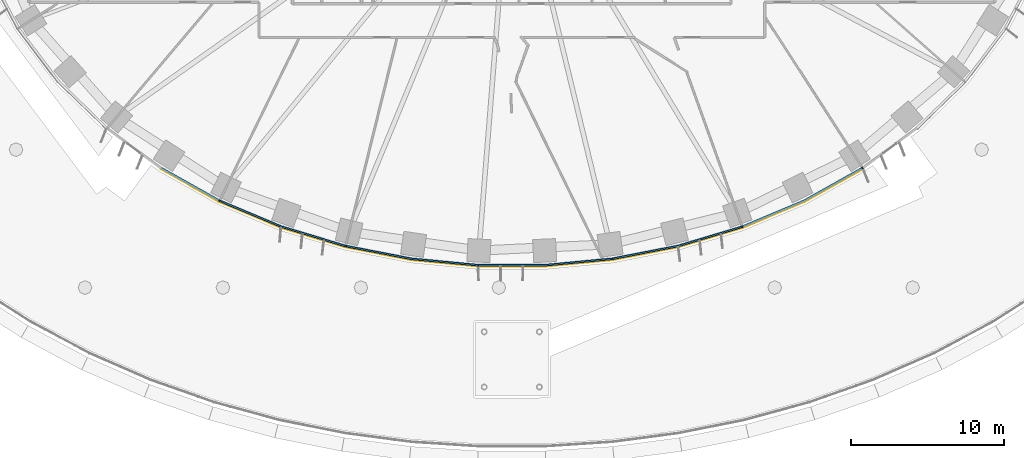
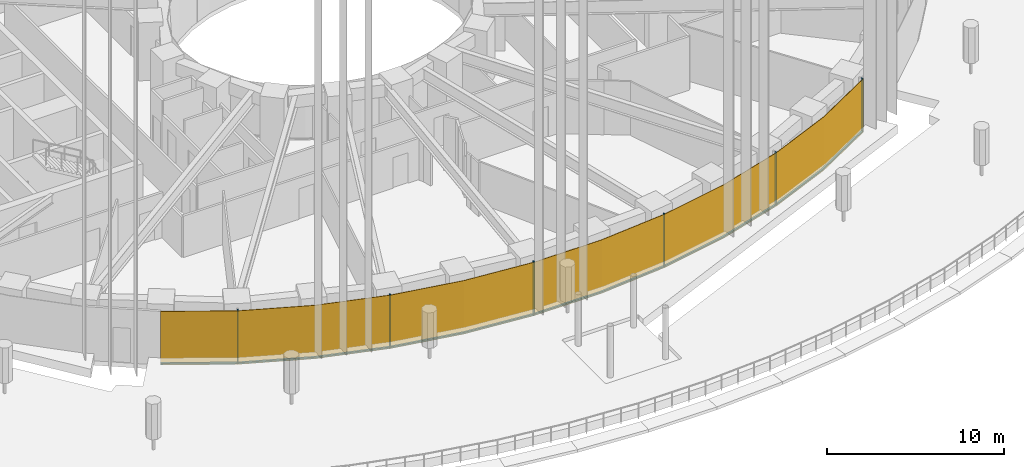
# One storey, part 17 of 30: 12 members, 1 curtain wall.
"""IFC4 building model written with IfcOpenShell, lengths in metres."""

from ifc_helpers import new_model, si_unit, direction, frame, origin, origin_2d, place, context, subcontext, project, spatial, polyline, rectangle, outline, extrude, material, layer, layer_set, material_profile, profile_set, type_object, element, aggregate, save


model = new_model("IFC4")

# Units and contexts
model_context = context("Model", 3, precision=1e-05, world=origin(), true_north=direction((0.0, 1.0)))
body_context = subcontext(model_context, "Body", "Model", "MODEL_VIEW")
ifc_project = project(units=[si_unit("LENGTHUNIT", "METRE"), si_unit("AREAUNIT", "SQUARE_METRE"), si_unit("VOLUMEUNIT", "CUBIC_METRE"), si_unit("PLANEANGLEUNIT", "RADIAN"), si_unit("MASSUNIT", "GRAM", prefix="KILO")], contexts=[model_context])

# Member
ifc_material_1 = material(Name="Aluminium 6063-T6 black anodised", Category="aluminium")
ifc_material_profile = material_profile(ifc_material_1, rectangle(XDim=0.1201171875, YDim=0.06005859375, at=origin_2d()), Name="120x60")
ifc_profile_set = profile_set([ifc_material_profile], Name="Aluminium 6063-T6 black anodised")
member_type_1 = type_object("IfcMemberType", Name="ENV-MULLION-A-120", PredefinedType="MULLION", material=ifc_profile_set)
site_placement = place(None, origin())
building_placement = place(site_placement, origin())
storey_placement = place(building_placement, frame((0.0, 0.0, 30.5)))
member_1_placement = place(storey_placement, frame((-19.06787109375, -23.6474609375, 0.0), z_axis=(0.0, 0.0, 1.0), x_axis=(0.439237769837, 0.898370848563, 0.0)))
member_1 = element("IfcMember", 1, at=member_1_placement, type_object=member_type_1, Name="Mullion A radial 31", PredefinedType="MULLION", context=body_context, shape_type="SweptSolid", body=[
    extrude(rectangle(XDim=0.1201171875, YDim=0.06005859375, at=origin_2d()), origin(), (0.0, 0.0, 1.0), 3.699951171875),
])

member_2_placement = place(storey_placement, frame((-10.84326171875, -26.60498046875, 0.0), z_axis=(0.0, 0.0, 1.0), x_axis=(0.239799081534, 0.970822538106, 0.0)))
member_2 = element("IfcMember", 2, at=member_2_placement, type_object=member_type_1, Name="Mullion A radial 33", PredefinedType="MULLION", context=body_context, shape_type="SweptSolid", body=[
    extrude(rectangle(XDim=0.1201171875, YDim=0.06005859375, at=origin_2d()), origin(), (0.0, 0.0, 1.0), 3.699951171875),
])

member_3_placement = place(storey_placement, frame((-2.188720703125, -27.856201171875, 0.0), z_axis=(0.0, 0.0, 1.0), x_axis=(0.047557873581, 0.998868484166, 0.0)))
member_3 = element("IfcMember", 3, at=member_3_placement, type_object=member_type_1, Name="Mullion A radial 35", PredefinedType="MULLION", context=body_context, shape_type="SweptSolid", body=[
    extrude(rectangle(XDim=0.1201171875, YDim=0.06005859375, at=origin_2d()), origin(), (0.0, 0.0, 1.0), 3.699951171875),
])

member_4_placement = place(storey_placement, frame((6.54638671875, -27.440185546875, 0.0), z_axis=(0.0, 0.0, 1.0), x_axis=(-0.143082012705, 0.989710835366, 0.0)))
member_4 = element("IfcMember", 4, at=member_4_placement, type_object=member_type_1, Name="Mullion A radial 37", PredefinedType="MULLION", context=body_context, shape_type="SweptSolid", body=[
    extrude(rectangle(XDim=0.1201171875, YDim=0.06005859375, at=origin_2d()), origin(), (0.0, 0.0, 1.0), 3.699951171875),
])

member_5_placement = place(storey_placement, frame((15.0341796875, -25.34375, 0.0), z_axis=(0.0, 0.0, 1.0), x_axis=(-0.338379256581, 0.941009818608, 0.0)))
member_5 = element("IfcMember", 5, at=member_5_placement, type_object=member_type_1, Name="Mullion A radial 39", PredefinedType="MULLION", context=body_context, shape_type="SweptSolid", body=[
    extrude(rectangle(XDim=0.1201171875, YDim=0.06005859375, at=origin_2d()), origin(), (0.0, 0.0, 1.0), 3.699951171875),
])

member_6_placement = place(storey_placement, frame((22.882568359375, -21.506591796875, 0.0), z_axis=(0.0, 0.0, 1.0), x_axis=(-0.542279153225, 0.840198381323, 0.0)))
member_6 = element("IfcMember", 6, at=member_6_placement, type_object=member_type_1, Name="Mullion A radial 41", PredefinedType="MULLION", context=body_context, shape_type="SweptSolid", body=[
    extrude(rectangle(XDim=0.1201171875, YDim=0.06005859375, at=origin_2d()), origin(), (0.0, 0.0, 1.0), 3.699951171875),
])

ifc_material_2 = material(Name="Aluminium 6063-T6 black anodised", Category="aluminium")
member_type_2 = type_object("IfcMemberType", Name="ENV-TRANSOM-A", PredefinedType="USERDEFINED", material=ifc_material_2)
member_7_placement = place(storey_placement, origin())
member_7 = element("IfcMember", 7, at=member_7_placement, type_object=member_type_2, Name="Transom A radial 30-31", ObjectType="TRANSOM", PredefinedType="USERDEFINED", context=body_context, shape_type="SweptSolid", body=[
    extrude(outline(polyline([(-22.897705078125, -21.566650390625), (-19.11865234375, -23.687744140625), (-19.06591796875, -23.57958984375), (-22.83251953125, -21.4658203125), (-22.897705078125, -21.566650390625)])), origin(), (0.0, 0.0, 1.0), 0.10009765625),
])

member_8_placement = place(storey_placement, origin())
member_8 = element("IfcMember", 8, at=member_8_placement, type_object=member_type_2, Name="Transom A radial 31-33", ObjectType="TRANSOM", PredefinedType="USERDEFINED", context=body_context, shape_type="SweptSolid", body=[
    extrude(outline(polyline([(-19.068359375, -23.71240234375), (-15.054443359375, -25.400146484375), (-10.884521484375, -26.655029296875), (-10.855712890625, -26.53857421875), (-15.013916015625, -25.287109375), (-19.015380859375, -23.604248046875), (-19.068359375, -23.71240234375)])), origin(), (0.0, 0.0, 1.0), 0.10009765625),
])

member_9_placement = place(storey_placement, origin())
member_9 = element("IfcMember", 9, at=member_9_placement, type_object=member_type_2, Name="Transom A radial 33-35", ObjectType="TRANSOM", PredefinedType="USERDEFINED", context=body_context, shape_type="SweptSolid", body=[
    extrude(outline(polyline([(-10.830078125, -26.66845703125), (-6.55517578125, -27.49951171875), (-2.219482421875, -27.913330078125), (-2.2138671875, -27.793212890625), (-6.537841796875, -27.380615234375), (-10.80126953125, -26.552001953125), (-10.830078125, -26.66845703125)])), origin(), (0.0, 0.0, 1.0), 0.10009765625),
])

member_10_placement = place(storey_placement, origin())
member_10 = element("IfcMember", 10, at=member_10_placement, type_object=member_type_2, Name="Transom A radial 35-37", ObjectType="TRANSOM", PredefinedType="USERDEFINED", context=body_context, shape_type="SweptSolid", body=[
    extrude(outline(polyline([(-2.163818359375, -27.916015625), (2.191650390625, -27.916015625), (6.527099609375, -27.502197265625), (6.510009765625, -27.38330078125), (2.185791015625, -27.7958984375), (-2.157958984375, -27.7958984375), (-2.163818359375, -27.916015625)])), origin(), (0.0, 0.0, 1.0), 0.10009765625),
])

member_11_placement = place(storey_placement, origin())
member_11 = element("IfcMember", 11, at=member_11_placement, type_object=member_type_2, Name="Transom A radial 37-39", ObjectType="TRANSOM", PredefinedType="USERDEFINED", context=body_context, shape_type="SweptSolid", body=[
    extrude(outline(polyline([(6.58251953125, -27.494140625), (10.857666015625, -26.6630859375), (15.027587890625, -25.408203125), (14.987060546875, -25.295166015625), (10.828857421875, -26.54638671875), (6.5654296875, -27.375244140625), (6.58251953125, -27.494140625)])), origin(), (0.0, 0.0, 1.0), 0.10009765625),
])

member_12_placement = place(storey_placement, origin())
member_12 = element("IfcMember", 12, at=member_12_placement, type_object=member_type_2, Name="Transom A radial 39-41", ObjectType="TRANSOM", PredefinedType="USERDEFINED", context=body_context, shape_type="SweptSolid", body=[
    extrude(outline(polyline([(15.080322265625, -25.389404296875), (19.093994140625, -23.701416015625), (22.890625, -21.570556640625), (22.825439453125, -21.469482421875), (19.041259765625, -23.593505859375), (15.03955078125, -25.276123046875), (15.080322265625, -25.389404296875)])), origin(), (0.0, 0.0, 1.0), 0.10009765625),
])

# Site, building, storey
site = spatial("IfcSite", under=ifc_project, at=site_placement, CompositionType="ELEMENT")
building = spatial("IfcBuilding", under=site, at=building_placement, Name="Noorbagh Ring Tower", CompositionType="ELEMENT")
storey = spatial("IfcBuildingStorey", under=building, at=storey_placement, Name="L05", CompositionType="ELEMENT", Elevation=30.5)

# Curtain wall
ifc_material_3 = material(Name="Glass dark tinted laminated", Category="glass")
ifc_layer = layer(ifc_material_3, 0.031982421875)
ifc_layer_set = layer_set([ifc_layer], Name="Glass dark tinted laminated")
curtain_wall_type = type_object("IfcCurtainWallType", Name="ENV-CW-A", PredefinedType="NOTDEFINED", material=ifc_layer_set)
curtain_wall_placement = place(storey_placement, origin())
curtain_wall = element("IfcCurtainWall", 13, at=curtain_wall_placement, inside=storey, type_object=curtain_wall_type, Name="Curtain wall A R30", PredefinedType="NOTDEFINED", context=body_context, shape_type="SweptSolid", body=[
    extrude(outline(polyline([(-22.9150390625, -21.593505859375), (-19.108154296875, -23.730224609375), (-15.065185546875, -25.430419921875), (-10.865234375, -26.6943359375), (-6.559814453125, -27.53125), (-2.193115234375, -27.947998046875), (2.193115234375, -27.947998046875), (6.559814453125, -27.53125), (10.865234375, -26.6943359375), (15.065185546875, -25.430419921875), (19.108154296875, -23.730224609375), (22.9150390625, -21.593505859375), (22.897705078125, -21.566650390625), (19.093994140625, -23.701416015625), (15.054443359375, -25.400146484375), (10.857666015625, -26.6630859375), (6.55517578125, -27.49951171875), (2.191650390625, -27.916015625), (-2.191650390625, -27.916015625), (-6.55517578125, -27.49951171875), (-10.857666015625, -26.6630859375), (-15.054443359375, -25.400146484375), (-19.093994140625, -23.701416015625), (-22.897705078125, -21.566650390625), (-22.9150390625, -21.593505859375)])), origin(), (0.0, 0.0, 1.0), 3.699951171875),
])

aggregate(curtain_wall, [member_1, member_2, member_3, member_4, member_5, member_6, member_7, member_8, member_9, member_10, member_11, member_12])

save(model, "model.ifc")
